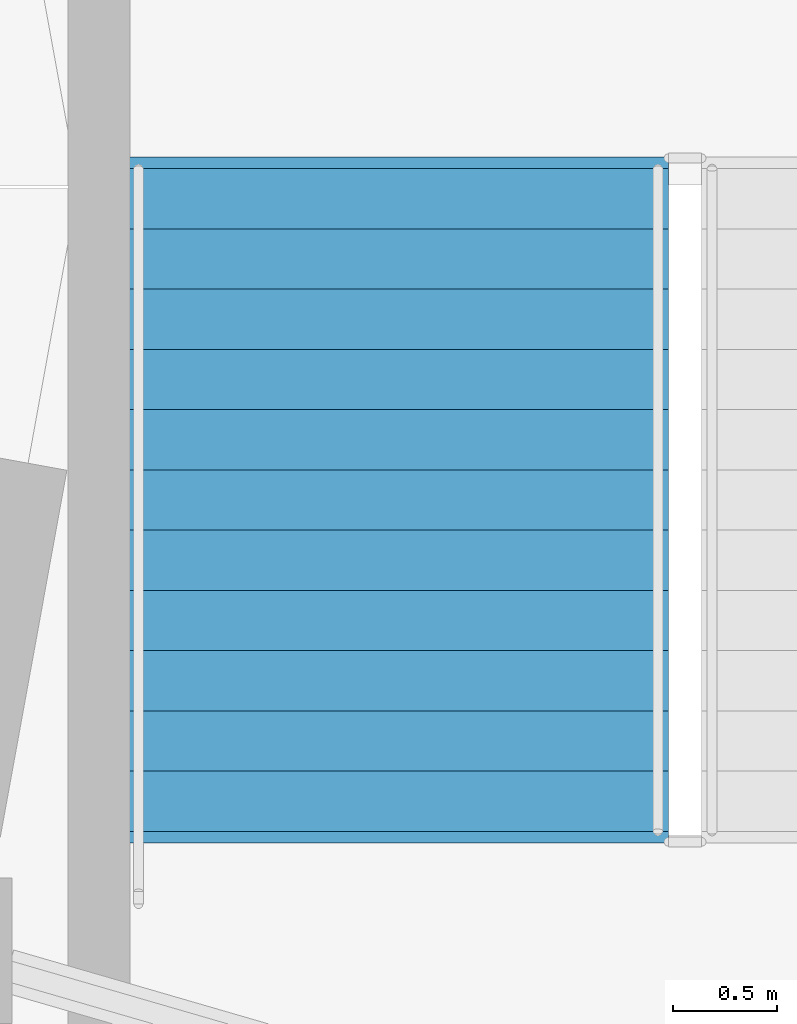
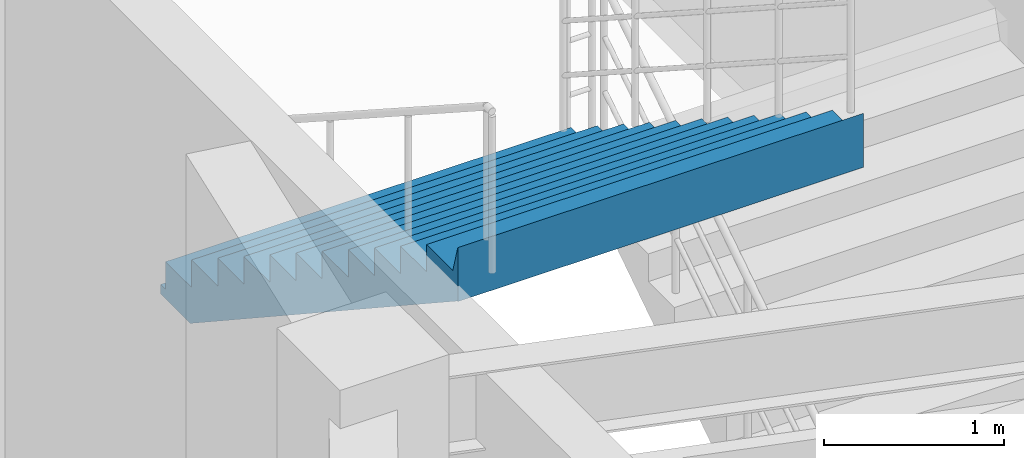
# One storey, part 98 of 112: 1 stair flight, 1 element without a shape of its own.
"""IFC4 building model written with IfcOpenShell, lengths in metres."""

from ifc_helpers import new_model, si_unit, direction, frame, origin, place, context, subcontext, project, spatial, polyline, outline, extrude, material, type_object, element, aggregate, save


model = new_model("IFC4")

# Units and contexts
model_context = context("Model", 3, precision=1e-05, world=origin(), true_north=direction((0.0, 1.0)))
body_context = subcontext(model_context, "Body", "Model", "MODEL_VIEW")
ifc_project = project(units=[si_unit("LENGTHUNIT", "METRE"), si_unit("AREAUNIT", "SQUARE_METRE"), si_unit("VOLUMEUNIT", "CUBIC_METRE"), si_unit("PLANEANGLEUNIT", "RADIAN"), si_unit("MASSUNIT", "GRAM", prefix="KILO")], contexts=[model_context])

# Site, building, storey
site_placement = place(None, origin())
site = spatial("IfcSite", under=ifc_project, at=site_placement, CompositionType="ELEMENT")
building_placement = place(site_placement, origin())
building = spatial("IfcBuilding", under=site, at=building_placement, Name="Cinderbank Siding Concert Hall", CompositionType="ELEMENT")
storey_placement = place(building_placement, frame((0.0, 0.0, 10.199951171875)))
storey = spatial("IfcBuildingStorey", under=building, at=storey_placement, Name="L03", CompositionType="ELEMENT", Elevation=10.199951171875)

# Stair, stair flight
ifc_material = material(Name="Reinforced concrete AS 3600 N50 (50 MPa)", Category="concrete")
stair_type = type_object("IfcStairType", Name="STR-B Dogleg Exit Stair 2600mm", PredefinedType="HALF_TURN_STAIR", material=ifc_material)
stair_placement = place(storey_placement, origin())
stair = element("IfcStair", 1, at=stair_placement, inside=storey, type_object=stair_type, Name="L03 Fire-isolated Exit Stair ST-03", PredefinedType="HALF_TURN_STAIR")
stair_flight_type = type_object("IfcStairFlightType", Name="SFL-B Concrete Stair Flight 2600mm", PredefinedType="STRAIGHT", material=ifc_material)
stair_flight_placement = place(storey_placement, frame((143.139892578125, 44.090087890625, 2.25), z_axis=(0.0, 0.0, 1.0), x_axis=(0.0, -1.0, 0.0)))
stair_flight = element("IfcStairFlight", 2, at=stair_flight_placement, type_object=stair_flight_type, Name="ST-03 flight 2", NumberOfRisers=12, NumberOfTreads=11, PredefinedType="STRAIGHT", RiserHeight=0.1875, TreadLength=0.29, context=body_context, shape_type="SweptSolid", body=[
    extrude(outline(polyline([(0.0, 0.0), (0.0, 0.1875), (0.2900390625, 0.1875), (0.2900390625, 0.375), (0.580078125, 0.375), (0.580078125, 0.5625), (0.8701171875, 0.5625), (0.8701171875, 0.75), (1.159912109375, 0.75), (1.159912109375, 0.9375), (1.449951171875, 0.9375), (1.449951171875, 1.125), (1.739990234375, 1.125), (1.739990234375, 1.3125), (2.030029296875, 1.3125), (2.030029296875, 1.5), (2.320068359375, 1.5), (2.320068359375, 1.6875), (2.610107421875, 1.6875), (2.610107421875, 1.875), (2.89990234375, 1.875), (2.89990234375, 2.0625), (3.18994140625, 2.0625), (3.244873046875, 2.25), (3.244873046875, 1.884033203125), (3.24462890625, 1.88427734375), (3.24462890625, 1.884521484375), (3.24462890625, 1.884765625), (3.24462890625, 1.885009765625), (3.24462890625, 1.88525390625), (3.24462890625, 1.885498046875), (3.24462890625, 1.8857421875), (3.24462890625, 1.885986328125), (3.24462890625, 1.88623046875), (3.24462890625, 1.886474609375), (3.24462890625, 1.88671875), (3.24462890625, 1.886962890625), (3.244384765625, 1.886962890625), (3.244384765625, 1.88671875), (3.244384765625, 1.886474609375), (3.244384765625, 1.88623046875), (3.244384765625, 1.885986328125), (3.244384765625, 1.8857421875), (3.244384765625, 1.885498046875), (3.244384765625, 1.88525390625), (3.244384765625, 1.885009765625), (3.244384765625, 1.884765625), (3.244384765625, 1.884521484375), (3.244384765625, 1.88427734375), (3.244384765625, 1.884033203125), (3.244140625, 1.88427734375), (3.244140625, 1.884521484375), (3.244140625, 1.884765625), (3.244140625, 1.885009765625), (3.244140625, 1.88525390625), (3.244140625, 1.885498046875), (3.244140625, 1.8857421875), (3.244140625, 1.885986328125), (3.244140625, 1.88623046875), (3.244140625, 1.886474609375), (3.244140625, 1.88671875), (3.244140625, 1.886962890625), (3.243896484375, 1.886962890625), (3.243896484375, 1.88671875), (3.243896484375, 1.886474609375), (3.243896484375, 1.88623046875), (3.243896484375, 1.885986328125), (3.243896484375, 1.8857421875), (3.243896484375, 1.885498046875), (3.243896484375, 1.88525390625), (3.243896484375, 1.885009765625), (3.243896484375, 1.884765625), (3.243896484375, 1.884521484375), (3.243896484375, 1.88427734375), (3.243896484375, 1.884033203125), (3.24365234375, 1.88427734375), (3.24365234375, 1.884521484375), (3.24365234375, 1.884765625), (3.24365234375, 1.885009765625), (3.24365234375, 1.88525390625), (3.24365234375, 1.885498046875), (3.24365234375, 1.8857421875), (3.24365234375, 1.885986328125), (3.24365234375, 1.88623046875), (3.24365234375, 1.886474609375), (3.24365234375, 1.88671875), (3.24365234375, 1.886962890625), (3.243408203125, 1.886962890625), (3.243408203125, 1.88671875), (3.243408203125, 1.886474609375), (3.243408203125, 1.88623046875), (3.243408203125, 1.885986328125), (3.243408203125, 1.8857421875), (3.243408203125, 1.885498046875), (3.243408203125, 1.88525390625), (3.243408203125, 1.885009765625), (3.243408203125, 1.884765625), (3.243408203125, 1.884521484375), (3.243408203125, 1.88427734375), (3.243408203125, 1.884033203125), (3.2431640625, 1.88427734375), (3.2431640625, 1.884521484375), (3.2431640625, 1.884765625), (3.2431640625, 1.885009765625), (3.2431640625, 1.88525390625), (3.2431640625, 1.885498046875), (3.2431640625, 1.8857421875), (3.2431640625, 1.885986328125), (3.2431640625, 1.88623046875), (3.2431640625, 1.886474609375), (3.2431640625, 1.88671875), (3.2431640625, 1.886962890625), (3.242919921875, 1.886962890625), (3.242919921875, 1.88671875), (3.242919921875, 1.886474609375), (3.242919921875, 1.88623046875), (3.242919921875, 1.885986328125), (3.242919921875, 1.8857421875), (3.242919921875, 1.885498046875), (3.242919921875, 1.88525390625), (3.242919921875, 1.885009765625), (3.242919921875, 1.884765625), (3.242919921875, 1.884521484375), (3.242919921875, 1.88427734375), (3.242919921875, 1.884033203125), (3.24267578125, 1.88427734375), (3.24267578125, 1.884521484375), (3.24267578125, 1.884765625), (3.24267578125, 1.885009765625), (3.24267578125, 1.88525390625), (3.24267578125, 1.885498046875), (3.24267578125, 1.8857421875), (3.24267578125, 1.885986328125), (3.24267578125, 1.88623046875), (3.24267578125, 1.886474609375), (3.24267578125, 1.88671875), (3.24267578125, 1.886962890625), (3.242431640625, 1.886962890625), (3.242431640625, 1.88671875), (3.242431640625, 1.886474609375), (3.242431640625, 1.88623046875), (3.242431640625, 1.885986328125), (3.242431640625, 1.8857421875), (3.242431640625, 1.885498046875), (3.242431640625, 1.88525390625), (3.242431640625, 1.885009765625), (3.242431640625, 1.884765625), (3.242431640625, 1.884521484375), (3.242431640625, 1.88427734375), (3.242431640625, 1.884033203125), (3.2421875, 1.88427734375), (3.2421875, 1.884521484375), (3.2421875, 1.884765625), (3.2421875, 1.885009765625), (3.2421875, 1.88525390625), (3.2421875, 1.885498046875), (3.2421875, 1.8857421875), (3.2421875, 1.885986328125), (3.2421875, 1.88623046875), (3.2421875, 1.886474609375), (3.2421875, 1.88671875), (3.2421875, 1.886962890625), (3.241943359375, 1.886962890625), (3.241943359375, 1.88671875), (3.241943359375, 1.886474609375), (3.241943359375, 1.88623046875), (3.241943359375, 1.885986328125), (3.241943359375, 1.8857421875), (3.241943359375, 1.885498046875), (3.241943359375, 1.88525390625), (3.241943359375, 1.885009765625), (3.241943359375, 1.884765625), (3.241943359375, 1.884521484375), (3.241943359375, 1.88427734375), (3.241943359375, 1.884033203125), (3.24169921875, 1.88427734375), (3.24169921875, 1.884521484375), (3.24169921875, 1.884765625), (3.24169921875, 1.885009765625), (3.24169921875, 1.88525390625), (3.24169921875, 1.885498046875), (3.24169921875, 1.8857421875), (3.24169921875, 1.885986328125), (3.24169921875, 1.88623046875), (3.24169921875, 1.886474609375), (3.24169921875, 1.88671875), (3.24169921875, 1.886962890625), (3.241455078125, 1.886962890625), (3.241455078125, 1.88671875), (3.241455078125, 1.886474609375), (3.241455078125, 1.88623046875), (3.241455078125, 1.885986328125), (3.241455078125, 1.8857421875), (3.241455078125, 1.885498046875), (3.241455078125, 1.88525390625), (3.241455078125, 1.885009765625), (3.241455078125, 1.884765625), (3.241455078125, 1.884521484375), (3.241455078125, 1.88427734375), (3.241455078125, 1.884033203125), (3.2412109375, 1.88427734375), (3.2412109375, 1.884521484375), (3.2412109375, 1.884765625), (3.2412109375, 1.885009765625), (3.2412109375, 1.88525390625), (3.2412109375, 1.885498046875), (3.2412109375, 1.8857421875), (3.2412109375, 1.885986328125), (3.2412109375, 1.88623046875), (3.2412109375, 1.886474609375), (3.2412109375, 1.88671875), (3.2412109375, 1.886962890625), (3.240966796875, 1.886962890625), (3.240966796875, 1.88671875), (3.240966796875, 1.886474609375), (3.240966796875, 1.88623046875), (3.240966796875, 1.885986328125), (3.240966796875, 1.8857421875), (3.240966796875, 1.885498046875), (3.240966796875, 1.88525390625), (3.240966796875, 1.885009765625), (3.240966796875, 1.884765625), (3.240966796875, 1.884521484375), (3.240966796875, 1.88427734375), (3.240966796875, 1.884033203125), (3.24072265625, 1.88427734375), (3.24072265625, 1.884521484375), (3.24072265625, 1.884765625), (3.24072265625, 1.885009765625), (3.24072265625, 1.88525390625), (3.24072265625, 1.885498046875), (3.24072265625, 1.8857421875), (3.24072265625, 1.885986328125), (3.24072265625, 1.88623046875), (3.24072265625, 1.886474609375), (3.24072265625, 1.88671875), (3.24072265625, 1.886962890625), (3.240478515625, 1.886962890625), (3.240478515625, 1.88671875), (3.240478515625, 1.886474609375), (3.240478515625, 1.88623046875), (3.240478515625, 1.885986328125), (3.240478515625, 1.8857421875), (3.240478515625, 1.885498046875), (3.240478515625, 1.88525390625), (3.240478515625, 1.885009765625), (3.240478515625, 1.884765625), (3.240478515625, 1.884521484375), (3.240478515625, 1.88427734375), (3.240478515625, 1.884033203125), (3.240234375, 1.88427734375), (3.240234375, 1.884521484375), (3.240234375, 1.884765625), (3.240234375, 1.885009765625), (3.240234375, 1.88525390625), (3.240234375, 1.885498046875), (3.240234375, 1.8857421875), (3.240234375, 1.885986328125), (3.240234375, 1.88623046875), (3.240234375, 1.886474609375), (3.240234375, 1.88671875), (3.240234375, 1.886962890625), (3.239990234375, 1.886962890625), (3.239990234375, 1.88671875), (3.239990234375, 1.886474609375), (3.239990234375, 1.88623046875), (3.239990234375, 1.885986328125), (3.239990234375, 1.8857421875), (3.239990234375, 1.885498046875), (3.239990234375, 1.88525390625), (3.239990234375, 1.885009765625), (3.239990234375, 1.884765625), (3.239990234375, 1.884521484375), (3.239990234375, 1.88427734375), (3.239990234375, 1.884033203125), (3.23974609375, 1.88427734375), (3.23974609375, 1.884521484375), (3.23974609375, 1.884765625), (3.23974609375, 1.885009765625), (3.23974609375, 1.88525390625), (3.23974609375, 1.885498046875), (3.23974609375, 1.8857421875), (3.23974609375, 1.885986328125), (3.23974609375, 1.88623046875), (3.23974609375, 1.886474609375), (3.23974609375, 1.88671875), (3.23974609375, 1.886962890625), (3.239501953125, 1.886962890625), (3.239501953125, 1.88671875), (3.239501953125, 1.886474609375), (3.239501953125, 1.88623046875), (3.239501953125, 1.885986328125), (3.239501953125, 1.8857421875), (3.239501953125, 1.885498046875), (3.239501953125, 1.88525390625), (3.239501953125, 1.885009765625), (3.239501953125, 1.884765625), (3.239501953125, 1.884521484375), (3.239501953125, 1.88427734375), (3.239501953125, 1.884033203125), (3.2392578125, 1.88427734375), (3.2392578125, 1.884521484375), (3.2392578125, 1.884765625), (3.2392578125, 1.885009765625), (3.2392578125, 1.88525390625), (3.2392578125, 1.885498046875), (3.2392578125, 1.8857421875), (3.2392578125, 1.885986328125), (3.2392578125, 1.88623046875), (3.2392578125, 1.886474609375), (3.2392578125, 1.88671875), (3.2392578125, 1.886962890625), (3.239013671875, 1.886962890625), (3.239013671875, 1.88671875), (3.239013671875, 1.886474609375), (3.239013671875, 1.88623046875), (3.239013671875, 1.885986328125), (3.239013671875, 1.8857421875), (3.239013671875, 1.885498046875), (3.239013671875, 1.88525390625), (3.239013671875, 1.885009765625), (3.239013671875, 1.884765625), (3.239013671875, 1.884521484375), (3.239013671875, 1.88427734375), (3.239013671875, 1.884033203125), (3.23876953125, 1.88427734375), (3.23876953125, 1.884521484375), (3.23876953125, 1.884765625), (3.23876953125, 1.885009765625), (3.23876953125, 1.88525390625), (3.23876953125, 1.885498046875), (3.23876953125, 1.8857421875), (3.23876953125, 1.885986328125), (3.23876953125, 1.88623046875), (3.23876953125, 1.886474609375), (3.23876953125, 1.88671875), (3.23876953125, 1.886962890625), (3.238525390625, 1.886962890625), (3.238525390625, 1.88671875), (3.238525390625, 1.886474609375), (3.238525390625, 1.88623046875), (3.238525390625, 1.885986328125), (3.238525390625, 1.8857421875), (3.238525390625, 1.885498046875), (3.238525390625, 1.88525390625), (3.238525390625, 1.885009765625), (3.238525390625, 1.884765625), (3.238525390625, 1.884521484375), (3.238525390625, 1.88427734375), (3.238525390625, 1.884033203125), (0.276123046875, -0.06396484375), (-0.048583984375, -0.063720703125), (-0.048583984375, -0.0634765625), (-0.048583984375, -0.063232421875), (-0.048583984375, -0.06298828125), (-0.048583984375, -0.062744140625), (-0.048583984375, -0.0625), (-0.048583984375, -0.062255859375), (-0.048583984375, -0.06201171875), (-0.048583984375, -0.061767578125), (-0.048583984375, -0.0615234375), (-0.048583984375, -0.061279296875), (-0.048583984375, -0.06103515625), (-0.048828125, -0.06103515625), (-0.048828125, -0.061279296875), (-0.048828125, -0.0615234375), (-0.048828125, -0.061767578125), (-0.048828125, -0.06201171875), (-0.048828125, -0.062255859375), (-0.048828125, -0.0625), (-0.048828125, -0.062744140625), (-0.048828125, -0.06298828125), (-0.048828125, -0.063232421875), (-0.048828125, -0.0634765625), (-0.048828125, -0.063720703125), (-0.048828125, -0.06396484375), (-0.049072265625, -0.063720703125), (-0.049072265625, -0.0634765625), (-0.049072265625, -0.063232421875), (-0.049072265625, -0.06298828125), (-0.049072265625, -0.062744140625), (-0.049072265625, -0.0625), (-0.049072265625, -0.062255859375), (-0.049072265625, -0.06201171875), (-0.049072265625, -0.061767578125), (-0.049072265625, -0.0615234375), (-0.049072265625, -0.061279296875), (-0.049072265625, -0.06103515625), (-0.04931640625, -0.06103515625), (-0.04931640625, -0.061279296875), (-0.04931640625, -0.0615234375), (-0.04931640625, -0.061767578125), (-0.04931640625, -0.06201171875), (-0.04931640625, -0.062255859375), (-0.04931640625, -0.0625), (-0.04931640625, -0.062744140625), (-0.04931640625, -0.06298828125), (-0.04931640625, -0.063232421875), (-0.04931640625, -0.0634765625), (-0.04931640625, -0.063720703125), (-0.04931640625, -0.06396484375), (-0.049560546875, -0.063720703125), (-0.049560546875, -0.0634765625), (-0.049560546875, -0.063232421875), (-0.049560546875, -0.06298828125), (-0.049560546875, -0.062744140625), (-0.049560546875, -0.0625), (-0.049560546875, -0.062255859375), (-0.049560546875, -0.06201171875), (-0.049560546875, -0.061767578125), (-0.049560546875, -0.0615234375), (-0.049560546875, -0.061279296875), (-0.049560546875, -0.06103515625), (-0.0498046875, -0.06103515625), (-0.0498046875, -0.061279296875), (-0.0498046875, -0.0615234375), (-0.0498046875, -0.061767578125), (-0.0498046875, -0.06201171875), (-0.0498046875, -0.062255859375), (-0.0498046875, -0.0625), (-0.0498046875, -0.062744140625), (-0.0498046875, -0.06298828125), (-0.0498046875, -0.063232421875), (-0.0498046875, -0.0634765625), (-0.0498046875, -0.063720703125), (-0.0498046875, -0.06396484375), (-0.050048828125, -0.063720703125), (-0.050048828125, -0.0634765625), (-0.050048828125, -0.063232421875), (-0.050048828125, -0.06298828125), (-0.050048828125, -0.062744140625), (-0.050048828125, -0.0625), (-0.050048828125, -0.062255859375), (-0.050048828125, -0.06201171875), (-0.050048828125, -0.061767578125), (-0.050048828125, -0.0615234375), (-0.050048828125, -0.061279296875), (-0.050048828125, -0.06103515625), (-0.05029296875, -0.06103515625), (-0.05029296875, -0.061279296875), (-0.05029296875, -0.0615234375), (-0.05029296875, -0.061767578125), (-0.05029296875, -0.06201171875), (-0.05029296875, -0.062255859375), (-0.05029296875, -0.0625), (-0.05029296875, -0.062744140625), (-0.05029296875, -0.06298828125), (-0.05029296875, -0.063232421875), (-0.05029296875, -0.0634765625), (-0.05029296875, -0.063720703125), (-0.05029296875, -0.06396484375), (-0.050537109375, -0.063720703125), (-0.050537109375, -0.0634765625), (-0.050537109375, -0.063232421875), (-0.050537109375, -0.06298828125), (-0.050537109375, -0.062744140625), (-0.050537109375, -0.0625), (-0.050537109375, -0.062255859375), (-0.050537109375, -0.06201171875), (-0.050537109375, -0.061767578125), (-0.050537109375, -0.0615234375), (-0.050537109375, -0.061279296875), (-0.050537109375, -0.06103515625), (-0.05078125, -0.06103515625), (-0.05078125, -0.061279296875), (-0.05078125, -0.0615234375), (-0.05078125, -0.061767578125), (-0.05078125, -0.06201171875), (-0.05078125, -0.062255859375), (-0.05078125, -0.0625), (-0.05078125, -0.062744140625), (-0.05078125, -0.06298828125), (-0.05078125, -0.063232421875), (-0.05078125, -0.0634765625), (-0.05078125, -0.063720703125), (-0.05078125, -0.06396484375), (-0.051025390625, -0.063720703125), (-0.051025390625, -0.0634765625), (-0.051025390625, -0.063232421875), (-0.051025390625, -0.06298828125), (-0.051025390625, -0.062744140625), (-0.051025390625, -0.0625), (-0.051025390625, -0.062255859375), (-0.051025390625, -0.06201171875), (-0.051025390625, -0.061767578125), (-0.051025390625, -0.0615234375), (-0.051025390625, -0.061279296875), (-0.051025390625, -0.06103515625), (-0.05126953125, -0.06103515625), (-0.05126953125, -0.061279296875), (-0.05126953125, -0.0615234375), (-0.05126953125, -0.061767578125), (-0.05126953125, -0.06201171875), (-0.05126953125, -0.062255859375), (-0.05126953125, -0.0625), (-0.05126953125, -0.062744140625), (-0.05126953125, -0.06298828125), (-0.05126953125, -0.063232421875), (-0.05126953125, -0.0634765625), (-0.05126953125, -0.063720703125), (-0.05126953125, -0.06396484375), (-0.051513671875, -0.063720703125), (-0.051513671875, -0.0634765625), (-0.051513671875, -0.063232421875), (-0.051513671875, -0.06298828125), (-0.051513671875, -0.062744140625), (-0.051513671875, -0.0625), (-0.051513671875, -0.062255859375), (-0.051513671875, -0.06201171875), (-0.051513671875, -0.061767578125), (-0.051513671875, -0.0615234375), (-0.051513671875, -0.061279296875), (-0.051513671875, -0.06103515625), (-0.0517578125, -0.06103515625), (-0.0517578125, -0.061279296875), (-0.0517578125, -0.0615234375), (-0.0517578125, -0.061767578125), (-0.0517578125, -0.06201171875), (-0.0517578125, -0.062255859375), (-0.0517578125, -0.0625), (-0.0517578125, -0.062744140625), (-0.0517578125, -0.06298828125), (-0.0517578125, -0.063232421875), (-0.0517578125, -0.0634765625), (-0.0517578125, -0.063720703125), (-0.0517578125, -0.06396484375), (-0.052001953125, -0.063720703125), (-0.052001953125, -0.0634765625), (-0.052001953125, -0.063232421875), (-0.052001953125, -0.06298828125), (-0.052001953125, -0.062744140625), (-0.052001953125, -0.0625), (-0.052001953125, -0.062255859375), (-0.052001953125, -0.06201171875), (-0.052001953125, -0.061767578125), (-0.052001953125, -0.0615234375), (-0.052001953125, -0.061279296875), (-0.052001953125, -0.06103515625), (-0.05224609375, -0.06103515625), (-0.05224609375, -0.061279296875), (-0.05224609375, -0.0615234375), (-0.05224609375, -0.061767578125), (-0.05224609375, -0.06201171875), (-0.05224609375, -0.062255859375), (-0.05224609375, -0.0625), (-0.05224609375, -0.062744140625), (-0.05224609375, -0.06298828125), (-0.05224609375, -0.063232421875), (-0.05224609375, -0.0634765625), (-0.05224609375, -0.063720703125), (-0.05224609375, -0.06396484375), (-0.052490234375, -0.063720703125), (-0.052490234375, -0.0634765625), (-0.052490234375, -0.063232421875), (-0.052490234375, -0.06298828125), (-0.052490234375, -0.062744140625), (-0.052490234375, -0.0625), (-0.052490234375, -0.062255859375), (-0.052490234375, -0.06201171875), (-0.052490234375, -0.061767578125), (-0.052490234375, -0.0615234375), (-0.052490234375, -0.061279296875), (-0.052490234375, -0.06103515625), (-0.052734375, -0.06103515625), (-0.052734375, -0.061279296875), (-0.052734375, -0.0615234375), (-0.052734375, -0.061767578125), (-0.052734375, -0.06201171875), (-0.052734375, -0.062255859375), (-0.052734375, -0.0625), (-0.052734375, -0.062744140625), (-0.052734375, -0.06298828125), (-0.052734375, -0.063232421875), (-0.052734375, -0.0634765625), (-0.052734375, -0.063720703125), (-0.052734375, -0.06396484375), (-0.052978515625, -0.063720703125), (-0.052978515625, -0.0634765625), (-0.052978515625, -0.063232421875), (-0.052978515625, -0.06298828125), (-0.052978515625, -0.062744140625), (-0.052978515625, -0.0625), (-0.052978515625, -0.062255859375), (-0.052978515625, -0.06201171875), (-0.052978515625, -0.061767578125), (-0.052978515625, -0.0615234375), (-0.052978515625, -0.061279296875), (-0.052978515625, -0.06103515625), (-0.05322265625, -0.06103515625), (-0.05322265625, -0.061279296875), (-0.05322265625, -0.0615234375), (-0.05322265625, -0.061767578125), (-0.05322265625, -0.06201171875), (-0.05322265625, -0.062255859375), (-0.05322265625, -0.0625), (-0.05322265625, -0.062744140625), (-0.05322265625, -0.06298828125), (-0.05322265625, -0.063232421875), (-0.05322265625, -0.0634765625), (-0.05322265625, -0.063720703125), (-0.05322265625, -0.06396484375), (-0.053466796875, -0.063720703125), (-0.053466796875, -0.0634765625), (-0.053466796875, -0.063232421875), (-0.053466796875, -0.06298828125), (-0.053466796875, -0.062744140625), (-0.053466796875, -0.0625), (-0.053466796875, -0.062255859375), (-0.053466796875, -0.06201171875), (-0.053466796875, -0.061767578125), (-0.053466796875, -0.0615234375), (-0.053466796875, -0.061279296875), (-0.053466796875, -0.06103515625), (-0.0537109375, -0.06103515625), (-0.0537109375, -0.061279296875), (-0.0537109375, -0.0615234375), (-0.0537109375, -0.061767578125), (-0.0537109375, -0.06201171875), (-0.0537109375, -0.062255859375), (-0.0537109375, -0.0625), (-0.0537109375, -0.062744140625), (-0.0537109375, -0.06298828125), (-0.0537109375, -0.063232421875), (-0.0537109375, -0.0634765625), (-0.0537109375, -0.063720703125), (-0.0537109375, -0.06396484375), (-0.053955078125, -0.063720703125), (-0.053955078125, -0.0634765625), (-0.053955078125, -0.063232421875), (-0.053955078125, -0.06298828125), (-0.053955078125, -0.062744140625), (-0.053955078125, -0.0625), (-0.053955078125, -0.062255859375), (-0.053955078125, -0.06201171875), (-0.053955078125, -0.061767578125), (-0.053955078125, -0.0615234375), (-0.053955078125, -0.061279296875), (-0.053955078125, -0.06103515625), (-0.05419921875, -0.06103515625), (-0.05419921875, -0.061279296875), (-0.05419921875, -0.0615234375), (-0.05419921875, -0.061767578125), (-0.05419921875, -0.06201171875), (-0.05419921875, -0.062255859375), (-0.05419921875, -0.0625), (-0.05419921875, -0.062744140625), (-0.05419921875, -0.06298828125), (-0.05419921875, -0.063232421875), (-0.05419921875, -0.0634765625), (-0.05419921875, -0.063720703125), (-0.05419921875, -0.06396484375), (-0.054443359375, -0.063720703125), (-0.054443359375, -0.0634765625), (-0.054443359375, -0.063232421875), (-0.054443359375, -0.06298828125), (-0.054443359375, -0.062744140625), (-0.054443359375, -0.0625), (-0.054443359375, -0.062255859375), (-0.054443359375, -0.06201171875), (-0.054443359375, -0.061767578125), (-0.054443359375, -0.0615234375), (-0.054443359375, -0.061279296875), (-0.054443359375, -0.06103515625), (-0.0546875, -0.06103515625), (-0.0546875, -0.061279296875), (-0.0546875, -0.0615234375), (-0.0546875, -0.061767578125), (-0.0546875, -0.06201171875), (-0.0546875, -0.062255859375), (-0.0546875, -0.0625), (-0.0546875, -0.062744140625), (-0.0546875, -0.06298828125), (-0.0546875, -0.063232421875), (-0.0546875, -0.0634765625), (-0.0546875, -0.063720703125), (-0.0546875, -0.06396484375), (-0.054931640625, -0.06396484375), (-0.054931640625, 0.0), (0.0, 0.0)])), frame((0.0, 1.300048828125, 0.0), z_axis=(0.0, -1.0, 0.0), x_axis=(1.0, 0.0, 0.0)), (0.0, 0.0, 1.0), 2.60009765625),
])
aggregate(stair, [stair_flight])

save(model, "model.ifc")
